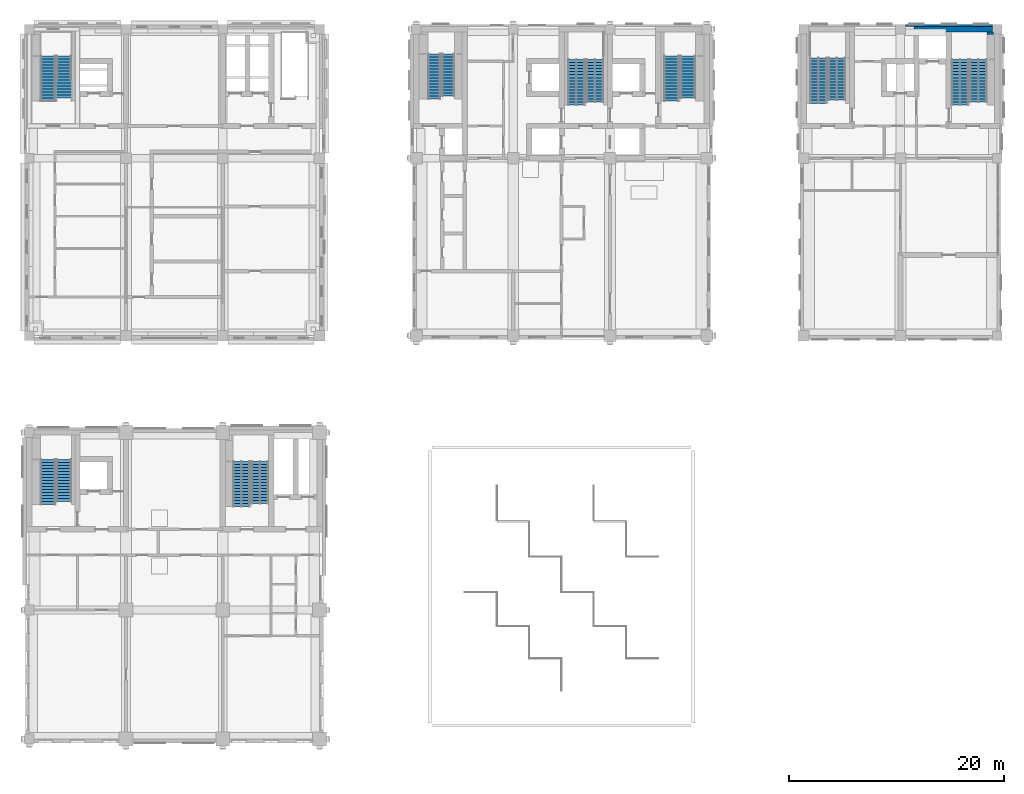
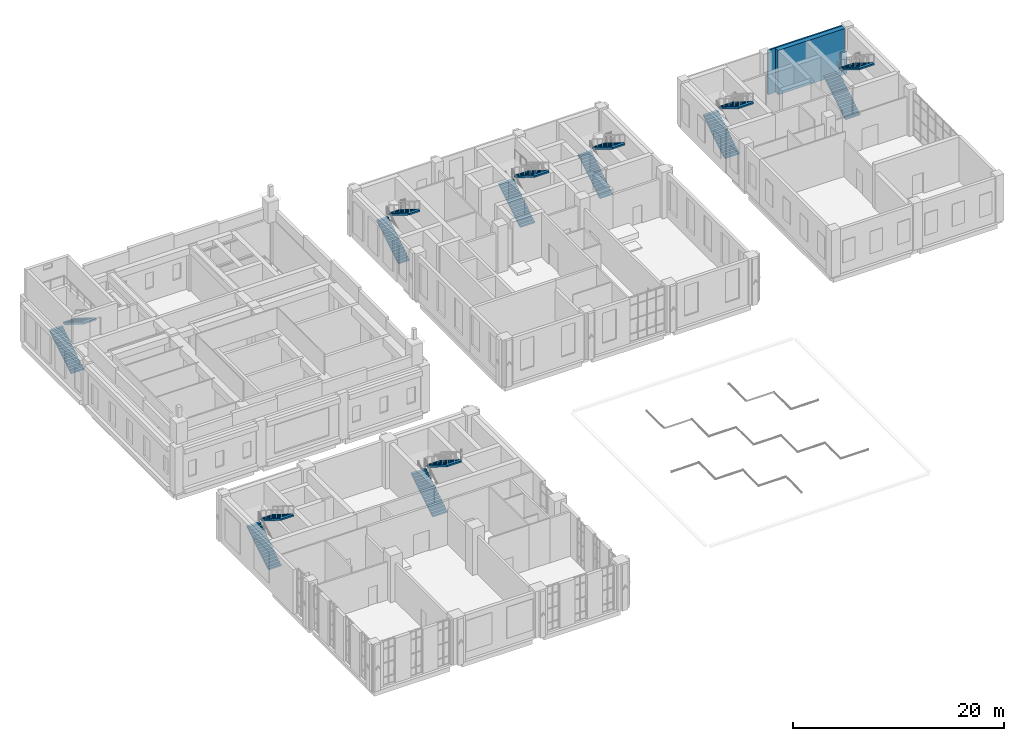
# One storey, part 26 of 37: 16 stair flights, 3 walls, 8 elements without a shape of their own.
"""IFC4 building model written with IfcOpenShell, lengths in metres."""

from ifc_helpers import new_model, si_unit, direction, frame, frame_2d, origin, place, context, subcontext, project, spatial, polyline, rectangle, outline, extrude, material, layer, layer_set, type_object, element, aggregate, save


model = new_model("IFC4")

# Units and contexts
model_context = context("Model", 3, precision=1e-05, world=origin(), true_north=direction((0.0, 1.0)))
body_context = subcontext(model_context, "Body", "Model", "MODEL_VIEW")
ifc_project = project(units=[si_unit("LENGTHUNIT", "METRE"), si_unit("AREAUNIT", "SQUARE_METRE"), si_unit("VOLUMEUNIT", "CUBIC_METRE"), si_unit("PLANEANGLEUNIT", "RADIAN"), si_unit("MASSUNIT", "GRAM", prefix="KILO")], contexts=[model_context])

# Site, building, storey
site_placement = place(None, origin())
site = spatial("IfcSite", under=ifc_project, at=site_placement, CompositionType="ELEMENT")
building_placement = place(site_placement, origin())
building = spatial("IfcBuilding", under=site, at=building_placement, Name="Aurelan Courthouse", CompositionType="ELEMENT")
storey_placement = place(building_placement, frame((0.0, 0.0, 17.39990234375)))
storey = spatial("IfcBuildingStorey", under=building, at=storey_placement, Name="L03", CompositionType="ELEMENT", Elevation=17.39990234375)

# Walls
ifc_material_1 = material(Name="Limestone cladding", Category="masonry")
ifc_layer_1 = layer(ifc_material_1, 0.050048828125, Name="Facing")
ifc_material_2 = material(Name="Ventilated cavity")
ifc_layer_2 = layer(ifc_material_2, 0.02490234375, ventilated=True, Name="Ventilated cavity")
ifc_material_3 = material(Name="Mineral wool insulation")
ifc_layer_3 = layer(ifc_material_3, 0.02490234375, Name="Insulation")
ifc_material_4 = material(Name="Concrete C30", Category="concrete")
ifc_layer_4 = layer(ifc_material_4, 0.070068359375, Name="Structure")
ifc_layer_set_1 = layer_set([ifc_layer_1, ifc_layer_2, ifc_layer_3, ifc_layer_4], Name="Concrete C30")
wall_type_1 = type_object("IfcWallType", Name="Law Library stone-faced wall 170", PredefinedType="SOLIDWALL", material=ifc_layer_set_1)
wall_1_placement = place(storey_placement, frame((81.449951171875, 66.3349609375, 0.0), z_axis=(0.0, 0.0, 1.0), x_axis=(1.0, 0.0, 0.0)))
element("IfcWall", 1, at=wall_1_placement, inside=storey, type_object=wall_type_1, Name="Facade wall FW-V3-L03-004", PredefinedType="SOLIDWALL", context=body_context, shape_type="SweptSolid", body=[
    extrude(rectangle(XDim=8.10009765625, YDim=0.169921875, at=frame_2d((4.050048828125, 0.0))), origin(), (0.0, 0.0, 1.0), 5.150146484375),
])
ifc_material_5 = material(Name="Concrete C50", Category="concrete")
ifc_layer_5 = layer(ifc_material_5, 0.5)
ifc_layer_set_2 = layer_set([ifc_layer_5], Name="Concrete C50")
wall_type_2 = type_object("IfcWallType", Name="RC shear wall 500", PredefinedType="SHEAR", material=ifc_layer_set_2)
wall_2_placement = place(storey_placement, frame((82.25, 66.0, 0.0), z_axis=(0.0, 0.0, 1.0), x_axis=(1.0, 0.0, 0.0)))
element("IfcWall", 2, at=wall_2_placement, inside=storey, type_object=wall_type_2, Name="Core wall SW-L03-066", PredefinedType="SHEAR", context=body_context, shape_type="SweptSolid", body=[
    extrude(rectangle(XDim=7.300048828125, YDim=0.5, at=frame_2d((3.64990234375, 0.0))), origin(), (0.0, 0.0, 1.0), 5.150146484375),
])
ifc_layer_6 = layer(ifc_material_4, 0.60009765625)
ifc_layer_set_3 = layer_set([ifc_layer_6], Name="Concrete C30")
wall_type_3 = type_object("IfcWallType", Name="Stair well wall 600 EI 120 load-bearing", PredefinedType="SHEAR", material=ifc_layer_set_3)
wall_3_placement = place(storey_placement, frame((89.35009765625, 65.5, 0.0), z_axis=(0.0, 0.0, 1.0), x_axis=(0.0, 1.0, 0.0)))
element("IfcWall", 3, at=wall_3_placement, inside=storey, type_object=wall_type_3, Name="Stair well wall ST-3B-L03 B2", PredefinedType="SHEAR", context=body_context, shape_type="SweptSolid", body=[
    extrude(rectangle(XDim=0.25, YDim=0.60009765625, at=frame_2d((0.125, 0.0))), origin(), (0.0, 0.0, 1.0), 2.587158203125),
])

# Stair, stair flights
stair_type_1 = type_object("IfcStairType", Name="Half-turn stair 1200 wide 31 risers", PredefinedType="HALF_TURN_STAIR", material=ifc_material_4)
stair_1_placement = place(storey_placement, origin())
stair_1 = element("IfcStair", 4, at=stair_1_placement, inside=storey, type_object=stair_type_1, Name="Stair CS-2-L03", PredefinedType="HALF_TURN_STAIR")
stair_flight_type_1 = type_object("IfcStairFlightType", Name="Stair flight 1200 wide 16 risers", PredefinedType="STRAIGHT", material=ifc_material_4)
stair_flight_1_placement = place(storey_placement, frame((37.659912109375, 59.510009765625, 0.0), z_axis=(0.0, 0.0, 1.0), x_axis=(0.0, 1.0, 0.0)))
stair_flight_1 = element("IfcStairFlight", 5, at=stair_flight_1_placement, type_object=stair_flight_type_1, Name="Stair CS-2-L03 flight 1", NumberOfRisers=16, NumberOfTreads=15, PredefinedType="STRAIGHT", RiserHeight=0.174193548, TreadLength=0.28, context=body_context, shape_type="SweptSolid", body=[
    extrude(outline(polyline([(0.0, 0.0), (0.0, 0.174072265625), (0.280029296875, 0.174072265625), (0.280029296875, 0.348388671875), (0.56005859375, 0.348388671875), (0.56005859375, 0.5224609375), (0.840087890625, 0.5224609375), (0.840087890625, 0.69677734375), (1.1201171875, 0.69677734375), (1.1201171875, 0.870849609375), (1.39990234375, 0.870849609375), (1.39990234375, 1.045166015625), (1.679931640625, 1.045166015625), (1.679931640625, 1.21923828125), (1.9599609375, 1.21923828125), (1.9599609375, 1.3935546875), (2.239990234375, 1.3935546875), (2.239990234375, 1.567626953125), (2.52001953125, 1.567626953125), (2.52001953125, 1.741943359375), (2.800048828125, 1.741943359375), (2.800048828125, 1.916015625), (3.080078125, 1.916015625), (3.080078125, 2.09033203125), (3.360107421875, 2.09033203125), (3.360107421875, 2.264404296875), (3.639892578125, 2.264404296875), (3.639892578125, 2.438720703125), (3.919921875, 2.438720703125), (3.919921875, 2.61279296875), (4.199951171875, 2.61279296875), (4.199951171875, 2.787109375), (4.199951171875, 2.436279296875), (0.28369140625, 0.0), (0.0, 0.0)])), frame((0.0, 0.60009765625, 0.0), z_axis=(0.0, -1.0, 0.0), x_axis=(1.0, 0.0, 0.0)), (0.0, 0.0, 1.0), 1.199951171875),
])
stair_flight_2_placement = place(storey_placement, frame((38.9599609375, 63.7099609375, 2.787109375), z_axis=(0.0, 0.0, 1.0), x_axis=(0.0, -1.0, 0.0)))
stair_flight_2 = element("IfcStairFlight", 6, at=stair_flight_2_placement, type_object=stair_flight_type_1, Name="Stair CS-2-L03 flight 2", NumberOfRisers=15, NumberOfTreads=14, PredefinedType="STRAIGHT", RiserHeight=0.174193548, TreadLength=0.28, context=body_context, shape_type="SweptSolid", body=[
    extrude(outline(polyline([(0.0, 0.0), (0.0, 0.174072265625), (0.280029296875, 0.174072265625), (0.280029296875, 0.348388671875), (0.56005859375, 0.348388671875), (0.56005859375, 0.5224609375), (0.840087890625, 0.5224609375), (0.840087890625, 0.69677734375), (1.1201171875, 0.69677734375), (1.1201171875, 0.870849609375), (1.39990234375, 0.870849609375), (1.39990234375, 1.045166015625), (1.679931640625, 1.045166015625), (1.679931640625, 1.21923828125), (1.9599609375, 1.21923828125), (1.9599609375, 1.3935546875), (2.239990234375, 1.3935546875), (2.239990234375, 1.567626953125), (2.52001953125, 1.567626953125), (2.52001953125, 1.741943359375), (2.800048828125, 1.741943359375), (2.800048828125, 1.916015625), (3.080078125, 1.916015625), (3.080078125, 2.09033203125), (3.360107421875, 2.09033203125), (3.360107421875, 2.264404296875), (3.639892578125, 2.264404296875), (3.639892578125, 2.438720703125), (3.919921875, 2.438720703125), (3.919921875, 2.61279296875), (3.919921875, 2.26220703125), (0.28369140625, 0.0), (0.0, 0.0)])), frame((0.0, 0.60009765625, 0.0), z_axis=(0.0, -1.0, 0.0), x_axis=(1.0, 0.0, 0.0)), (0.0, 0.0, 1.0), 1.199951171875),
])
aggregate(stair_1, [stair_flight_1, stair_flight_2])

stair_type_2 = type_object("IfcStairType", Name="Half-turn stair 1400 wide 31 risers", PredefinedType="HALF_TURN_STAIR", material=ifc_material_4)
stair_2_placement = place(storey_placement, origin())
stair_2 = element("IfcStair", 7, at=stair_2_placement, inside=storey, type_object=stair_type_2, Name="Stair ST-2E-L03", PredefinedType="HALF_TURN_STAIR")
stair_flight_type_2 = type_object("IfcStairFlightType", Name="Stair flight 1400 wide 16 risers", PredefinedType="STRAIGHT", material=ifc_material_4)
stair_flight_3_placement = place(storey_placement, frame((59.739990234375, 59.31005859375, 0.0), z_axis=(0.0, 0.0, 1.0), x_axis=(0.0, 1.0, 0.0)))
stair_flight_3 = element("IfcStairFlight", 8, at=stair_flight_3_placement, type_object=stair_flight_type_2, Name="Stair ST-2E-L03 flight 1", NumberOfRisers=16, NumberOfTreads=15, PredefinedType="STRAIGHT", RiserHeight=0.174193548, TreadLength=0.28, context=body_context, shape_type="SweptSolid", body=[
    extrude(outline(polyline([(0.0, 0.0), (0.0, 0.174072265625), (0.280029296875, 0.174072265625), (0.280029296875, 0.348388671875), (0.56005859375, 0.348388671875), (0.56005859375, 0.5224609375), (0.840087890625, 0.5224609375), (0.840087890625, 0.69677734375), (1.1201171875, 0.69677734375), (1.1201171875, 0.870849609375), (1.39990234375, 0.870849609375), (1.39990234375, 1.045166015625), (1.679931640625, 1.045166015625), (1.679931640625, 1.21923828125), (1.9599609375, 1.21923828125), (1.9599609375, 1.3935546875), (2.239990234375, 1.3935546875), (2.239990234375, 1.567626953125), (2.52001953125, 1.567626953125), (2.52001953125, 1.741943359375), (2.800048828125, 1.741943359375), (2.800048828125, 1.916015625), (3.080078125, 1.916015625), (3.080078125, 2.09033203125), (3.360107421875, 2.09033203125), (3.360107421875, 2.264404296875), (3.639892578125, 2.264404296875), (3.639892578125, 2.438720703125), (3.919921875, 2.438720703125), (3.919921875, 2.61279296875), (4.199951171875, 2.61279296875), (4.199951171875, 2.787109375), (4.199951171875, 2.436279296875), (0.28369140625, 0.0), (0.0, 0.0)])), frame((0.0, 0.699951171875, 0.0), z_axis=(0.0, -1.0, 0.0), x_axis=(1.0, 0.0, 0.0)), (0.0, 0.0, 1.0), 1.39990234375),
])
stair_flight_4_placement = place(storey_placement, frame((61.239990234375, 63.510009765625, 2.787109375), z_axis=(0.0, 0.0, 1.0), x_axis=(0.0, -1.0, 0.0)))
stair_flight_4 = element("IfcStairFlight", 9, at=stair_flight_4_placement, type_object=stair_flight_type_2, Name="Stair ST-2E-L03 flight 2", NumberOfRisers=15, NumberOfTreads=14, PredefinedType="STRAIGHT", RiserHeight=0.174193548, TreadLength=0.28, context=body_context, shape_type="SweptSolid", body=[
    extrude(outline(polyline([(0.0, 0.0), (0.0, 0.174072265625), (0.280029296875, 0.174072265625), (0.280029296875, 0.348388671875), (0.56005859375, 0.348388671875), (0.56005859375, 0.5224609375), (0.840087890625, 0.5224609375), (0.840087890625, 0.69677734375), (1.1201171875, 0.69677734375), (1.1201171875, 0.870849609375), (1.39990234375, 0.870849609375), (1.39990234375, 1.045166015625), (1.679931640625, 1.045166015625), (1.679931640625, 1.21923828125), (1.9599609375, 1.21923828125), (1.9599609375, 1.3935546875), (2.239990234375, 1.3935546875), (2.239990234375, 1.567626953125), (2.52001953125, 1.567626953125), (2.52001953125, 1.741943359375), (2.800048828125, 1.741943359375), (2.800048828125, 1.916015625), (3.080078125, 1.916015625), (3.080078125, 2.09033203125), (3.360107421875, 2.09033203125), (3.360107421875, 2.264404296875), (3.639892578125, 2.264404296875), (3.639892578125, 2.438720703125), (3.919921875, 2.438720703125), (3.919921875, 2.61279296875), (3.919921875, 2.26220703125), (0.28369140625, 0.0), (0.0, 0.0)])), frame((0.0, 0.699951171875, 0.0), z_axis=(0.0, -1.0, 0.0), x_axis=(1.0, 0.0, 0.0)), (0.0, 0.0, 1.0), 1.39990234375),
])
aggregate(stair_2, [stair_flight_3, stair_flight_4])

stair_3_placement = place(storey_placement, origin())
stair_3 = element("IfcStair", 10, at=stair_3_placement, inside=storey, type_object=stair_type_2, Name="Stair ST-5B-L03", PredefinedType="HALF_TURN_STAIR")
stair_flight_5_placement = place(storey_placement, frame((1.760009765625, 21.81005859375, 0.0), z_axis=(0.0, 0.0, 1.0), x_axis=(0.0, 1.0, 0.0)))
stair_flight_5 = element("IfcStairFlight", 11, at=stair_flight_5_placement, type_object=stair_flight_type_2, Name="Stair ST-5B-L03 flight 1", NumberOfRisers=16, NumberOfTreads=15, PredefinedType="STRAIGHT", RiserHeight=0.174193548, TreadLength=0.28, context=body_context, shape_type="SweptSolid", body=[
    extrude(outline(polyline([(0.0, 0.0), (0.0, 0.174072265625), (0.280029296875, 0.174072265625), (0.280029296875, 0.348388671875), (0.56005859375, 0.348388671875), (0.56005859375, 0.5224609375), (0.840087890625, 0.5224609375), (0.840087890625, 0.69677734375), (1.1201171875, 0.69677734375), (1.1201171875, 0.870849609375), (1.39990234375, 0.870849609375), (1.39990234375, 1.045166015625), (1.679931640625, 1.045166015625), (1.679931640625, 1.21923828125), (1.9599609375, 1.21923828125), (1.9599609375, 1.3935546875), (2.239990234375, 1.3935546875), (2.239990234375, 1.567626953125), (2.52001953125, 1.567626953125), (2.52001953125, 1.741943359375), (2.800048828125, 1.741943359375), (2.800048828125, 1.916015625), (3.080078125, 1.916015625), (3.080078125, 2.09033203125), (3.360107421875, 2.09033203125), (3.360107421875, 2.264404296875), (3.639892578125, 2.264404296875), (3.639892578125, 2.438720703125), (3.919921875, 2.438720703125), (3.919921875, 2.61279296875), (4.199951171875, 2.61279296875), (4.199951171875, 2.787109375), (4.199951171875, 2.436279296875), (0.28369140625, 0.0), (0.0, 0.0)])), frame((0.0, 0.699951171875, 0.0), z_axis=(0.0, -1.0, 0.0), x_axis=(1.0, 0.0, 0.0)), (0.0, 0.0, 1.0), 1.39990234375),
])
stair_flight_6_placement = place(storey_placement, frame((3.260009765625, 26.010009765625, 2.787109375), z_axis=(0.0, 0.0, 1.0), x_axis=(0.0, -1.0, 0.0)))
stair_flight_6 = element("IfcStairFlight", 12, at=stair_flight_6_placement, type_object=stair_flight_type_2, Name="Stair ST-5B-L03 flight 2", NumberOfRisers=15, NumberOfTreads=14, PredefinedType="STRAIGHT", RiserHeight=0.174193548, TreadLength=0.28, context=body_context, shape_type="SweptSolid", body=[
    extrude(outline(polyline([(0.0, 0.0), (0.0, 0.174072265625), (0.280029296875, 0.174072265625), (0.280029296875, 0.348388671875), (0.56005859375, 0.348388671875), (0.56005859375, 0.5224609375), (0.840087890625, 0.5224609375), (0.840087890625, 0.69677734375), (1.1201171875, 0.69677734375), (1.1201171875, 0.870849609375), (1.39990234375, 0.870849609375), (1.39990234375, 1.045166015625), (1.679931640625, 1.045166015625), (1.679931640625, 1.21923828125), (1.9599609375, 1.21923828125), (1.9599609375, 1.3935546875), (2.239990234375, 1.3935546875), (2.239990234375, 1.567626953125), (2.52001953125, 1.567626953125), (2.52001953125, 1.741943359375), (2.800048828125, 1.741943359375), (2.800048828125, 1.916015625), (3.080078125, 1.916015625), (3.080078125, 2.09033203125), (3.360107421875, 2.09033203125), (3.360107421875, 2.264404296875), (3.639892578125, 2.264404296875), (3.639892578125, 2.438720703125), (3.919921875, 2.438720703125), (3.919921875, 2.61279296875), (3.919921875, 2.26220703125), (0.28369140625, 0.0), (0.0, 0.0)])), frame((0.0, 0.699951171875, 0.0), z_axis=(0.0, -1.0, 0.0), x_axis=(1.0, 0.0, 0.0)), (0.0, 0.0, 1.0), 1.39990234375),
])
aggregate(stair_3, [stair_flight_5, stair_flight_6])

stair_4_placement = place(storey_placement, origin())
stair_4 = element("IfcStair", 13, at=stair_4_placement, inside=storey, type_object=stair_type_2, Name="Stair ST-6-L03", PredefinedType="HALF_TURN_STAIR")
stair_flight_7_placement = place(storey_placement, frame((1.760009765625, 59.31005859375, 0.0), z_axis=(0.0, 0.0, 1.0), x_axis=(0.0, 1.0, 0.0)))
stair_flight_7 = element("IfcStairFlight", 14, at=stair_flight_7_placement, type_object=stair_flight_type_2, Name="Stair ST-6-L03 flight 1", NumberOfRisers=16, NumberOfTreads=15, PredefinedType="STRAIGHT", RiserHeight=0.174193548, TreadLength=0.28, context=body_context, shape_type="SweptSolid", body=[
    extrude(outline(polyline([(0.0, 0.0), (0.0, 0.174072265625), (0.280029296875, 0.174072265625), (0.280029296875, 0.348388671875), (0.56005859375, 0.348388671875), (0.56005859375, 0.5224609375), (0.840087890625, 0.5224609375), (0.840087890625, 0.69677734375), (1.1201171875, 0.69677734375), (1.1201171875, 0.870849609375), (1.39990234375, 0.870849609375), (1.39990234375, 1.045166015625), (1.679931640625, 1.045166015625), (1.679931640625, 1.21923828125), (1.9599609375, 1.21923828125), (1.9599609375, 1.3935546875), (2.239990234375, 1.3935546875), (2.239990234375, 1.567626953125), (2.52001953125, 1.567626953125), (2.52001953125, 1.741943359375), (2.800048828125, 1.741943359375), (2.800048828125, 1.916015625), (3.080078125, 1.916015625), (3.080078125, 2.09033203125), (3.360107421875, 2.09033203125), (3.360107421875, 2.264404296875), (3.639892578125, 2.264404296875), (3.639892578125, 2.438720703125), (3.919921875, 2.438720703125), (3.919921875, 2.61279296875), (4.199951171875, 2.61279296875), (4.199951171875, 2.787109375), (4.199951171875, 2.436279296875), (0.28369140625, 0.0), (0.0, 0.0)])), frame((0.0, 0.699951171875, 0.0), z_axis=(0.0, -1.0, 0.0), x_axis=(1.0, 0.0, 0.0)), (0.0, 0.0, 1.0), 1.39990234375),
])
stair_flight_8_placement = place(storey_placement, frame((3.260009765625, 63.510009765625, 2.787109375), z_axis=(0.0, 0.0, 1.0), x_axis=(0.0, -1.0, 0.0)))
stair_flight_8 = element("IfcStairFlight", 15, at=stair_flight_8_placement, type_object=stair_flight_type_2, Name="Stair ST-6-L03 flight 2", NumberOfRisers=15, NumberOfTreads=14, PredefinedType="STRAIGHT", RiserHeight=0.174193548, TreadLength=0.28, context=body_context, shape_type="SweptSolid", body=[
    extrude(outline(polyline([(0.0, 0.0), (0.0, 0.174072265625), (0.280029296875, 0.174072265625), (0.280029296875, 0.348388671875), (0.56005859375, 0.348388671875), (0.56005859375, 0.5224609375), (0.840087890625, 0.5224609375), (0.840087890625, 0.69677734375), (1.1201171875, 0.69677734375), (1.1201171875, 0.870849609375), (1.39990234375, 0.870849609375), (1.39990234375, 1.045166015625), (1.679931640625, 1.045166015625), (1.679931640625, 1.21923828125), (1.9599609375, 1.21923828125), (1.9599609375, 1.3935546875), (2.239990234375, 1.3935546875), (2.239990234375, 1.567626953125), (2.52001953125, 1.567626953125), (2.52001953125, 1.741943359375), (2.800048828125, 1.741943359375), (2.800048828125, 1.916015625), (3.080078125, 1.916015625), (3.080078125, 2.09033203125), (3.360107421875, 2.09033203125), (3.360107421875, 2.264404296875), (3.639892578125, 2.264404296875), (3.639892578125, 2.438720703125), (3.919921875, 2.438720703125), (3.919921875, 2.61279296875), (3.919921875, 2.26220703125), (0.28369140625, 0.0), (0.0, 0.0)])), frame((0.0, 0.699951171875, 0.0), z_axis=(0.0, -1.0, 0.0), x_axis=(1.0, 0.0, 0.0)), (0.0, 0.0, 1.0), 1.39990234375),
])
aggregate(stair_4, [stair_flight_7, stair_flight_8])

stair_type_3 = type_object("IfcStairType", Name="Half-turn stair 1600 wide 31 risers", PredefinedType="HALF_TURN_STAIR", material=ifc_material_4)
stair_5_placement = place(storey_placement, origin())
stair_5 = element("IfcStair", 16, at=stair_5_placement, inside=storey, type_object=stair_type_3, Name="Stair ST-2A-L03", PredefinedType="HALF_TURN_STAIR")
stair_flight_type_3 = type_object("IfcStairFlightType", Name="Stair flight 1600 wide 16 risers", PredefinedType="STRAIGHT", material=ifc_material_4)
stair_flight_9_placement = place(storey_placement, frame((50.89990234375, 58.9599609375, 0.0), z_axis=(0.0, 0.0, 1.0), x_axis=(0.0, 1.0, 0.0)))
stair_flight_9 = element("IfcStairFlight", 17, at=stair_flight_9_placement, type_object=stair_flight_type_3, Name="Stair ST-2A-L03 flight 1", NumberOfRisers=16, NumberOfTreads=15, PredefinedType="STRAIGHT", RiserHeight=0.174193548, TreadLength=0.28, context=body_context, shape_type="SweptSolid", body=[
    extrude(outline(polyline([(0.0, 0.0), (0.0, 0.174072265625), (0.280029296875, 0.174072265625), (0.280029296875, 0.348388671875), (0.56005859375, 0.348388671875), (0.56005859375, 0.5224609375), (0.840087890625, 0.5224609375), (0.840087890625, 0.69677734375), (1.1201171875, 0.69677734375), (1.1201171875, 0.870849609375), (1.39990234375, 0.870849609375), (1.39990234375, 1.045166015625), (1.679931640625, 1.045166015625), (1.679931640625, 1.21923828125), (1.9599609375, 1.21923828125), (1.9599609375, 1.3935546875), (2.239990234375, 1.3935546875), (2.239990234375, 1.567626953125), (2.52001953125, 1.567626953125), (2.52001953125, 1.741943359375), (2.800048828125, 1.741943359375), (2.800048828125, 1.916015625), (3.080078125, 1.916015625), (3.080078125, 2.09033203125), (3.360107421875, 2.09033203125), (3.360107421875, 2.264404296875), (3.639892578125, 2.264404296875), (3.639892578125, 2.438720703125), (3.919921875, 2.438720703125), (3.919921875, 2.61279296875), (4.199951171875, 2.61279296875), (4.199951171875, 2.787109375), (4.199951171875, 2.436279296875), (0.28369140625, 0.0), (0.0, 0.0)])), frame((0.0, 0.800048828125, 0.0), z_axis=(0.0, -1.0, 0.0), x_axis=(1.0, 0.0, 0.0)), (0.0, 0.0, 1.0), 1.60009765625),
])
stair_flight_10_placement = place(storey_placement, frame((52.60009765625, 63.159912109375, 2.787109375), z_axis=(0.0, 0.0, 1.0), x_axis=(0.0, -1.0, 0.0)))
stair_flight_10 = element("IfcStairFlight", 18, at=stair_flight_10_placement, type_object=stair_flight_type_3, Name="Stair ST-2A-L03 flight 2", NumberOfRisers=15, NumberOfTreads=14, PredefinedType="STRAIGHT", RiserHeight=0.174193548, TreadLength=0.28, context=body_context, shape_type="SweptSolid", body=[
    extrude(outline(polyline([(0.0, 0.0), (0.0, 0.174072265625), (0.280029296875, 0.174072265625), (0.280029296875, 0.348388671875), (0.56005859375, 0.348388671875), (0.56005859375, 0.5224609375), (0.840087890625, 0.5224609375), (0.840087890625, 0.69677734375), (1.1201171875, 0.69677734375), (1.1201171875, 0.870849609375), (1.39990234375, 0.870849609375), (1.39990234375, 1.045166015625), (1.679931640625, 1.045166015625), (1.679931640625, 1.21923828125), (1.9599609375, 1.21923828125), (1.9599609375, 1.3935546875), (2.239990234375, 1.3935546875), (2.239990234375, 1.567626953125), (2.52001953125, 1.567626953125), (2.52001953125, 1.741943359375), (2.800048828125, 1.741943359375), (2.800048828125, 1.916015625), (3.080078125, 1.916015625), (3.080078125, 2.09033203125), (3.360107421875, 2.09033203125), (3.360107421875, 2.264404296875), (3.639892578125, 2.264404296875), (3.639892578125, 2.438720703125), (3.919921875, 2.438720703125), (3.919921875, 2.61279296875), (3.919921875, 2.26220703125), (0.28369140625, 0.0), (0.0, 0.0)])), frame((0.0, 0.800048828125, 0.0), z_axis=(0.0, -1.0, 0.0), x_axis=(1.0, 0.0, 0.0)), (0.0, 0.0, 1.0), 1.60009765625),
])
aggregate(stair_5, [stair_flight_9, stair_flight_10])

stair_6_placement = place(storey_placement, origin())
stair_6 = element("IfcStair", 19, at=stair_6_placement, inside=storey, type_object=stair_type_3, Name="Stair ST-3A-L03", PredefinedType="HALF_TURN_STAIR")
stair_flight_11_placement = place(storey_placement, frame((73.39990234375, 59.110107421875, 0.0), z_axis=(0.0, 0.0, 1.0), x_axis=(0.0, 1.0, 0.0)))
stair_flight_11 = element("IfcStairFlight", 20, at=stair_flight_11_placement, type_object=stair_flight_type_3, Name="Stair ST-3A-L03 flight 1", NumberOfRisers=16, NumberOfTreads=15, PredefinedType="STRAIGHT", RiserHeight=0.174193548, TreadLength=0.28, context=body_context, shape_type="SweptSolid", body=[
    extrude(outline(polyline([(0.0, 0.0), (0.0, 0.174072265625), (0.280029296875, 0.174072265625), (0.280029296875, 0.348388671875), (0.56005859375, 0.348388671875), (0.56005859375, 0.5224609375), (0.840087890625, 0.5224609375), (0.840087890625, 0.69677734375), (1.1201171875, 0.69677734375), (1.1201171875, 0.870849609375), (1.39990234375, 0.870849609375), (1.39990234375, 1.045166015625), (1.679931640625, 1.045166015625), (1.679931640625, 1.21923828125), (1.9599609375, 1.21923828125), (1.9599609375, 1.3935546875), (2.239990234375, 1.3935546875), (2.239990234375, 1.567626953125), (2.52001953125, 1.567626953125), (2.52001953125, 1.741943359375), (2.800048828125, 1.741943359375), (2.800048828125, 1.916015625), (3.080078125, 1.916015625), (3.080078125, 2.09033203125), (3.360107421875, 2.09033203125), (3.360107421875, 2.264404296875), (3.639892578125, 2.264404296875), (3.639892578125, 2.438720703125), (3.919921875, 2.438720703125), (3.919921875, 2.61279296875), (4.199951171875, 2.61279296875), (4.199951171875, 2.787109375), (4.199951171875, 2.436279296875), (0.28369140625, 0.0), (0.0, 0.0)])), frame((0.0, 0.800048828125, 0.0), z_axis=(0.0, -1.0, 0.0), x_axis=(1.0, 0.0, 0.0)), (0.0, 0.0, 1.0), 1.60009765625),
])
stair_flight_12_placement = place(storey_placement, frame((75.10009765625, 63.31005859375, 2.787109375), z_axis=(0.0, 0.0, 1.0), x_axis=(0.0, -1.0, 0.0)))
stair_flight_12 = element("IfcStairFlight", 21, at=stair_flight_12_placement, type_object=stair_flight_type_3, Name="Stair ST-3A-L03 flight 2", NumberOfRisers=15, NumberOfTreads=14, PredefinedType="STRAIGHT", RiserHeight=0.174193548, TreadLength=0.28, context=body_context, shape_type="SweptSolid", body=[
    extrude(outline(polyline([(0.0, 0.0), (0.0, 0.174072265625), (0.280029296875, 0.174072265625), (0.280029296875, 0.348388671875), (0.56005859375, 0.348388671875), (0.56005859375, 0.5224609375), (0.840087890625, 0.5224609375), (0.840087890625, 0.69677734375), (1.1201171875, 0.69677734375), (1.1201171875, 0.870849609375), (1.39990234375, 0.870849609375), (1.39990234375, 1.045166015625), (1.679931640625, 1.045166015625), (1.679931640625, 1.21923828125), (1.9599609375, 1.21923828125), (1.9599609375, 1.3935546875), (2.239990234375, 1.3935546875), (2.239990234375, 1.567626953125), (2.52001953125, 1.567626953125), (2.52001953125, 1.741943359375), (2.800048828125, 1.741943359375), (2.800048828125, 1.916015625), (3.080078125, 1.916015625), (3.080078125, 2.09033203125), (3.360107421875, 2.09033203125), (3.360107421875, 2.264404296875), (3.639892578125, 2.264404296875), (3.639892578125, 2.438720703125), (3.919921875, 2.438720703125), (3.919921875, 2.61279296875), (3.919921875, 2.26220703125), (0.28369140625, 0.0), (0.0, 0.0)])), frame((0.0, 0.800048828125, 0.0), z_axis=(0.0, -1.0, 0.0), x_axis=(1.0, 0.0, 0.0)), (0.0, 0.0, 1.0), 1.60009765625),
])
aggregate(stair_6, [stair_flight_11, stair_flight_12])

stair_7_placement = place(storey_placement, origin())
stair_7 = element("IfcStair", 22, at=stair_7_placement, inside=storey, type_object=stair_type_3, Name="Stair ST-3B-L03", PredefinedType="HALF_TURN_STAIR")
stair_flight_13_placement = place(storey_placement, frame((86.550048828125, 58.9599609375, 0.0), z_axis=(0.0, 0.0, 1.0), x_axis=(0.0, 1.0, 0.0)))
stair_flight_13 = element("IfcStairFlight", 23, at=stair_flight_13_placement, type_object=stair_flight_type_3, Name="Stair ST-3B-L03 flight 1", NumberOfRisers=16, NumberOfTreads=15, PredefinedType="STRAIGHT", RiserHeight=0.174193548, TreadLength=0.28, context=body_context, shape_type="SweptSolid", body=[
    extrude(outline(polyline([(0.0, 0.0), (0.0, 0.174072265625), (0.280029296875, 0.174072265625), (0.280029296875, 0.348388671875), (0.56005859375, 0.348388671875), (0.56005859375, 0.5224609375), (0.840087890625, 0.5224609375), (0.840087890625, 0.69677734375), (1.1201171875, 0.69677734375), (1.1201171875, 0.870849609375), (1.39990234375, 0.870849609375), (1.39990234375, 1.045166015625), (1.679931640625, 1.045166015625), (1.679931640625, 1.21923828125), (1.9599609375, 1.21923828125), (1.9599609375, 1.3935546875), (2.239990234375, 1.3935546875), (2.239990234375, 1.567626953125), (2.52001953125, 1.567626953125), (2.52001953125, 1.741943359375), (2.800048828125, 1.741943359375), (2.800048828125, 1.916015625), (3.080078125, 1.916015625), (3.080078125, 2.09033203125), (3.360107421875, 2.09033203125), (3.360107421875, 2.264404296875), (3.639892578125, 2.264404296875), (3.639892578125, 2.438720703125), (3.919921875, 2.438720703125), (3.919921875, 2.61279296875), (4.199951171875, 2.61279296875), (4.199951171875, 2.787109375), (4.199951171875, 2.436279296875), (0.28369140625, 0.0), (0.0, 0.0)])), frame((0.0, 0.800048828125, 0.0), z_axis=(0.0, -1.0, 0.0), x_axis=(1.0, 0.0, 0.0)), (0.0, 0.0, 1.0), 1.60009765625),
])
stair_flight_14_placement = place(storey_placement, frame((88.25, 63.159912109375, 2.787109375), z_axis=(0.0, 0.0, 1.0), x_axis=(0.0, -1.0, 0.0)))
stair_flight_14 = element("IfcStairFlight", 24, at=stair_flight_14_placement, type_object=stair_flight_type_3, Name="Stair ST-3B-L03 flight 2", NumberOfRisers=15, NumberOfTreads=14, PredefinedType="STRAIGHT", RiserHeight=0.174193548, TreadLength=0.28, context=body_context, shape_type="SweptSolid", body=[
    extrude(outline(polyline([(0.0, 0.0), (0.0, 0.174072265625), (0.280029296875, 0.174072265625), (0.280029296875, 0.348388671875), (0.56005859375, 0.348388671875), (0.56005859375, 0.5224609375), (0.840087890625, 0.5224609375), (0.840087890625, 0.69677734375), (1.1201171875, 0.69677734375), (1.1201171875, 0.870849609375), (1.39990234375, 0.870849609375), (1.39990234375, 1.045166015625), (1.679931640625, 1.045166015625), (1.679931640625, 1.21923828125), (1.9599609375, 1.21923828125), (1.9599609375, 1.3935546875), (2.239990234375, 1.3935546875), (2.239990234375, 1.567626953125), (2.52001953125, 1.567626953125), (2.52001953125, 1.741943359375), (2.800048828125, 1.741943359375), (2.800048828125, 1.916015625), (3.080078125, 1.916015625), (3.080078125, 2.09033203125), (3.360107421875, 2.09033203125), (3.360107421875, 2.264404296875), (3.639892578125, 2.264404296875), (3.639892578125, 2.438720703125), (3.919921875, 2.438720703125), (3.919921875, 2.61279296875), (3.919921875, 2.26220703125), (0.28369140625, 0.0), (0.0, 0.0)])), frame((0.0, 0.800048828125, 0.0), z_axis=(0.0, -1.0, 0.0), x_axis=(1.0, 0.0, 0.0)), (0.0, 0.0, 1.0), 1.60009765625),
])
aggregate(stair_7, [stair_flight_13, stair_flight_14])

stair_8_placement = place(storey_placement, origin())
stair_8 = element("IfcStair", 25, at=stair_8_placement, inside=storey, type_object=stair_type_3, Name="Stair ST-5A-L03", PredefinedType="HALF_TURN_STAIR")
stair_flight_15_placement = place(storey_placement, frame((19.75, 21.610107421875, 0.0), z_axis=(0.0, 0.0, 1.0), x_axis=(0.0, 1.0, 0.0)))
stair_flight_15 = element("IfcStairFlight", 26, at=stair_flight_15_placement, type_object=stair_flight_type_3, Name="Stair ST-5A-L03 flight 1", NumberOfRisers=16, NumberOfTreads=15, PredefinedType="STRAIGHT", RiserHeight=0.174193548, TreadLength=0.28, context=body_context, shape_type="SweptSolid", body=[
    extrude(outline(polyline([(0.0, 0.0), (0.0, 0.174072265625), (0.280029296875, 0.174072265625), (0.280029296875, 0.348388671875), (0.56005859375, 0.348388671875), (0.56005859375, 0.5224609375), (0.840087890625, 0.5224609375), (0.840087890625, 0.69677734375), (1.1201171875, 0.69677734375), (1.1201171875, 0.870849609375), (1.39990234375, 0.870849609375), (1.39990234375, 1.045166015625), (1.679931640625, 1.045166015625), (1.679931640625, 1.21923828125), (1.9599609375, 1.21923828125), (1.9599609375, 1.3935546875), (2.239990234375, 1.3935546875), (2.239990234375, 1.567626953125), (2.52001953125, 1.567626953125), (2.52001953125, 1.741943359375), (2.800048828125, 1.741943359375), (2.800048828125, 1.916015625), (3.080078125, 1.916015625), (3.080078125, 2.09033203125), (3.360107421875, 2.09033203125), (3.360107421875, 2.264404296875), (3.639892578125, 2.264404296875), (3.639892578125, 2.438720703125), (3.919921875, 2.438720703125), (3.919921875, 2.61279296875), (4.199951171875, 2.61279296875), (4.199951171875, 2.787109375), (4.199951171875, 2.436279296875), (0.28369140625, 0.0), (0.0, 0.0)])), frame((0.0, 0.800048828125, 0.0), z_axis=(0.0, -1.0, 0.0), x_axis=(1.0, 0.0, 0.0)), (0.0, 0.0, 1.0), 1.60009765625),
])
stair_flight_16_placement = place(storey_placement, frame((21.449951171875, 25.81005859375, 2.787109375), z_axis=(0.0, 0.0, 1.0), x_axis=(0.0, -1.0, 0.0)))
stair_flight_16 = element("IfcStairFlight", 27, at=stair_flight_16_placement, type_object=stair_flight_type_3, Name="Stair ST-5A-L03 flight 2", NumberOfRisers=15, NumberOfTreads=14, PredefinedType="STRAIGHT", RiserHeight=0.174193548, TreadLength=0.28, context=body_context, shape_type="SweptSolid", body=[
    extrude(outline(polyline([(0.0, 0.0), (0.0, 0.174072265625), (0.280029296875, 0.174072265625), (0.280029296875, 0.348388671875), (0.56005859375, 0.348388671875), (0.56005859375, 0.5224609375), (0.840087890625, 0.5224609375), (0.840087890625, 0.69677734375), (1.1201171875, 0.69677734375), (1.1201171875, 0.870849609375), (1.39990234375, 0.870849609375), (1.39990234375, 1.045166015625), (1.679931640625, 1.045166015625), (1.679931640625, 1.21923828125), (1.9599609375, 1.21923828125), (1.9599609375, 1.3935546875), (2.239990234375, 1.3935546875), (2.239990234375, 1.567626953125), (2.52001953125, 1.567626953125), (2.52001953125, 1.741943359375), (2.800048828125, 1.741943359375), (2.800048828125, 1.916015625), (3.080078125, 1.916015625), (3.080078125, 2.09033203125), (3.360107421875, 2.09033203125), (3.360107421875, 2.264404296875), (3.639892578125, 2.264404296875), (3.639892578125, 2.438720703125), (3.919921875, 2.438720703125), (3.919921875, 2.61279296875), (3.919921875, 2.26220703125), (0.28369140625, 0.0), (0.0, 0.0)])), frame((0.0, 0.800048828125, 0.0), z_axis=(0.0, -1.0, 0.0), x_axis=(1.0, 0.0, 0.0)), (0.0, 0.0, 1.0), 1.60009765625),
])
aggregate(stair_8, [stair_flight_15, stair_flight_16])

save(model, "model.ifc")
